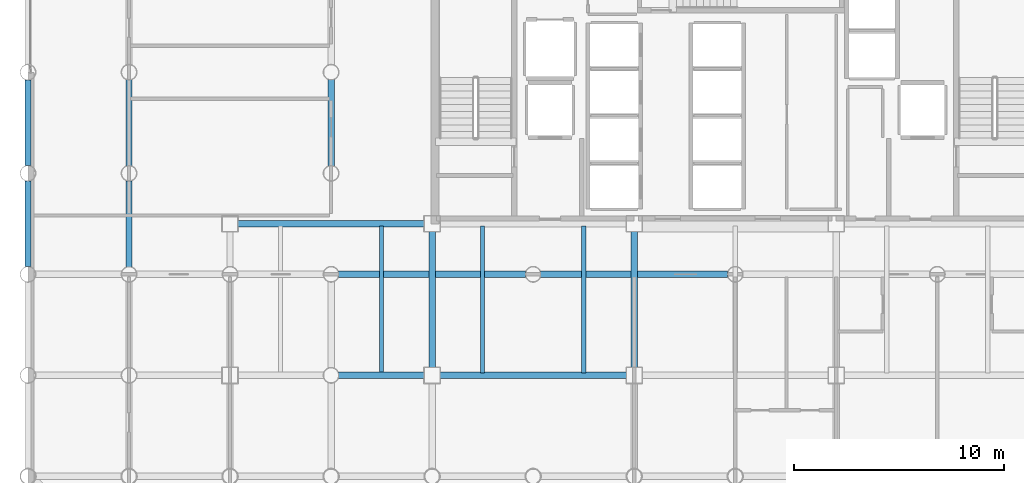
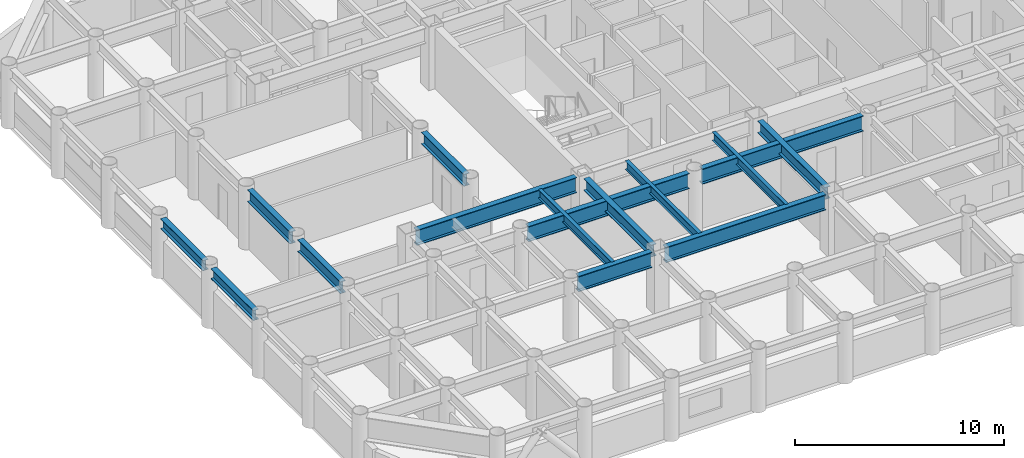
# One storey, part 3 of 21: 15 beams.
"""IFC4 building model written with IfcOpenShell, lengths in metres."""

from ifc_helpers import new_model, si_unit, direction, frame, origin, origin_2d, place, context, subcontext, project, spatial, i_section, extrude, material, material_profile, profile_set, type_object, element, save


model = new_model("IFC4")

# Units and contexts
model_context = context("Model", 3, precision=1e-05, world=origin(), true_north=direction((0.0, 1.0)))
body_context = subcontext(model_context, "Body", "Model", "MODEL_VIEW")
ifc_project = project(units=[si_unit("LENGTHUNIT", "METRE"), si_unit("AREAUNIT", "SQUARE_METRE"), si_unit("VOLUMEUNIT", "CUBIC_METRE"), si_unit("PLANEANGLEUNIT", "RADIAN"), si_unit("MASSUNIT", "GRAM", prefix="KILO")], contexts=[model_context])

# Site, building, storey
site_placement = place(None, origin())
site = spatial("IfcSite", under=ifc_project, at=site_placement, CompositionType="ELEMENT")
building_placement = place(site_placement, origin())
building = spatial("IfcBuilding", under=site, at=building_placement, Name="Kallvorn Hotel Tower", CompositionType="ELEMENT")
storey_placement = place(building_placement, frame((0.0, 0.0, 41.10009765625)))
storey = spatial("IfcBuildingStorey", under=building, at=storey_placement, Name="L08", CompositionType="ELEMENT", Elevation=41.10009765625)

# Beams
ifc_material_1 = material(Name="Structural steel S355JR", Category="steel")
ifc_material_profile_1 = material_profile(ifc_material_1, i_section(OverallWidth=0.300048828125, OverallDepth=0.60009765625, WebThickness=0.015380859375, FlangeThickness=0.030029296875, at=origin_2d()), Name="HE 600 B")
ifc_profile_set_1 = profile_set([ifc_material_profile_1], Name="Structural steel S355JR")
beam_type_1 = type_object("IfcBeamType", Name="BM_HE600B", PredefinedType="SPANDREL", material=ifc_profile_set_1)
beam_1_placement = place(storey_placement, frame((-33.60009765625, -9.22900390625, 3.219970703125), z_axis=(0.0, 1.0, 0.0), x_axis=(-1.0, 0.0, 0.0)))
element("IfcBeam", 1, at=beam_1_placement, inside=storey, type_object=beam_type_1, Name="L09 Perimeter Spandrel 176", PredefinedType="SPANDREL", context=body_context, shape_type="SweptSolid", body=[
    extrude(i_section(OverallWidth=0.300048828125, OverallDepth=0.60009765625, WebThickness=0.015380859375, FlangeThickness=0.030029296875, at=origin_2d()), origin(), (0.0, 0.0, 1.0), 4.05810546875),
])
beam_2_placement = place(storey_placement, frame((-33.60009765625, -4.428955078125, 3.219970703125), z_axis=(0.0, 1.0, 0.0), x_axis=(-1.0, 0.0, 0.0)))
element("IfcBeam", 2, at=beam_2_placement, inside=storey, type_object=beam_type_1, Name="L09 Perimeter Spandrel 177", PredefinedType="SPANDREL", context=body_context, shape_type="SweptSolid", body=[
    extrude(i_section(OverallWidth=0.300048828125, OverallDepth=0.60009765625, WebThickness=0.015380859375, FlangeThickness=0.030029296875, at=origin_2d()), origin(), (0.0, 0.0, 1.0), 4.057861328125),
])
ifc_material_2 = material(Name="Structural steel S355JR", Category="steel")
ifc_material_profile_2 = material_profile(ifc_material_2, i_section(OverallWidth=0.300048828125, OverallDepth=0.699951171875, WebThickness=0.01708984375, FlangeThickness=0.031982421875, at=origin_2d()), Name="HE 700 B")
ifc_profile_set_2 = profile_set([ifc_material_profile_2], Name="Structural steel S355JR")
beam_type_2 = type_object("IfcBeamType", Name="BM_HE700B", PredefinedType="BEAM", material=ifc_profile_set_2)
beam_3_placement = place(storey_placement, frame((-28.800048828125, -9.243896484375, 3.169921875), z_axis=(0.0, 1.0, 0.0), x_axis=(-1.0, 0.0, 0.0)))
element("IfcBeam", 3, at=beam_3_placement, inside=storey, type_object=beam_type_2, Name="L09 Primary Y-Girder 76", PredefinedType="BEAM", context=body_context, shape_type="SweptSolid", body=[
    extrude(i_section(OverallWidth=0.300048828125, OverallDepth=0.699951171875, WebThickness=0.01708984375, FlangeThickness=0.031982421875, at=origin_2d()), origin(), (0.0, 0.0, 1.0), 4.087890625),
])
for number, where, z_axis, x_axis, name in (
    (4, (-28.800048828125, -4.444091796875, 3.169921875), (0.0, 1.0, 0.0), (-1.0, 0.0, 0.0), "L09 Primary Y-Girder 77"),
    (5, (-19.199951171875, -4.444091796875, 3.169921875), (0.0, 1.0, 0.0), (-1.0, 0.0, 0.0), "L09 Primary Y-Girder 93"),
):
    element("IfcBeam", number, at=place(storey_placement, frame(where, z_axis=z_axis, x_axis=x_axis)), inside=storey, type_object=beam_type_2, Name=name, PredefinedType="BEAM", context=body_context, shape_type="SweptSolid", body=[
        extrude(i_section(OverallWidth=0.300048828125, OverallDepth=0.699951171875, WebThickness=0.01708984375, FlangeThickness=0.031982421875, at=origin_2d()), origin(), (0.0, 0.0, 1.0), 4.088134765625),
    ])
for number, where, z_axis, x_axis, name in (
    (6, (-14.39990234375, -14.02490234375, 3.169921875), (0.0, 1.0, 0.0), (-1.0, 0.0, 0.0), "L09 Primary Y-Girder 100"),
    (7, (-4.800048828125, -14.02490234375, 3.169921875), (0.0, 1.0, 0.0), (-1.0, 0.0, 0.0), "L09 Primary Y-Girder 108"),
):
    element("IfcBeam", number, at=place(storey_placement, frame(where, z_axis=z_axis, x_axis=x_axis)), inside=storey, type_object=beam_type_2, Name=name, PredefinedType="BEAM", context=body_context, shape_type="SweptSolid", body=[
        extrude(i_section(OverallWidth=0.300048828125, OverallDepth=0.699951171875, WebThickness=0.01708984375, FlangeThickness=0.031982421875, at=origin_2d()), origin(), (0.0, 0.0, 1.0), 6.449951171875),
    ])
ifc_material_3 = material(Name="Structural steel S355JR", Category="steel")
ifc_material_profile_3 = material_profile(ifc_material_3, i_section(OverallWidth=0.300048828125, OverallDepth=0.89990234375, WebThickness=0.0185546875, FlangeThickness=0.034912109375, at=origin_2d()), Name="HE 900 B")
ifc_profile_set_3 = profile_set([ifc_material_profile_3], Name="Structural steel S355JR")
beam_type_3 = type_object("IfcBeamType", Name="BM_HE900B", PredefinedType="BEAM", material=ifc_profile_set_3)
beam_4_placement = place(storey_placement, frame((-18.843994140625, -14.39990234375, 3.06982421875), z_axis=(1.0, 0.0, 0.0), x_axis=(0.0, 1.0, 0.0)))
element("IfcBeam", 8, at=beam_4_placement, inside=storey, type_object=beam_type_3, Name="L09 Primary X-Girder 17", PredefinedType="BEAM", context=body_context, shape_type="SweptSolid", body=[
    extrude(i_section(OverallWidth=0.300048828125, OverallDepth=0.89990234375, WebThickness=0.0185546875, FlangeThickness=0.034912109375, at=origin_2d()), origin(), (0.0, 0.0, 1.0), 4.069091796875),
])
beam_5_placement = place(storey_placement, frame((-14.02490234375, -14.39990234375, 3.06982421875), z_axis=(1.0, 0.0, 0.0), x_axis=(0.0, 1.0, 0.0)))
element("IfcBeam", 9, at=beam_5_placement, inside=storey, type_object=beam_type_3, Name="L09 Primary X-Girder 18", PredefinedType="BEAM", context=body_context, shape_type="SweptSolid", body=[
    extrude(i_section(OverallWidth=0.300048828125, OverallDepth=0.89990234375, WebThickness=0.0185546875, FlangeThickness=0.034912109375, at=origin_2d()), origin(), (0.0, 0.0, 1.0), 8.849853515625),
])
for number, where, z_axis, x_axis, name in (
    (10, (-18.843994140625, -9.60009765625, 3.06982421875), (1.0, 0.0, 0.0), (0.0, 1.0, 0.0), "L09 Primary X-Girder 27"),
    (11, (-9.243896484375, -9.60009765625, 3.06982421875), (1.0, 0.0, 0.0), (0.0, 1.0, 0.0), "L09 Primary X-Girder 28"),
):
    element("IfcBeam", number, at=place(storey_placement, frame(where, z_axis=z_axis, x_axis=x_axis)), inside=storey, type_object=beam_type_3, Name=name, PredefinedType="BEAM", context=body_context, shape_type="SweptSolid", body=[
        extrude(i_section(OverallWidth=0.300048828125, OverallDepth=0.89990234375, WebThickness=0.0185546875, FlangeThickness=0.034912109375, at=origin_2d()), origin(), (0.0, 0.0, 1.0), 8.887939453125),
    ])
beam_6_placement = place(storey_placement, frame((-23.625, -7.199951171875, 3.06982421875), z_axis=(1.0, 0.0, 0.0), x_axis=(0.0, 1.0, 0.0)))
element("IfcBeam", 12, at=beam_6_placement, inside=storey, type_object=beam_type_3, Name="L09 Primary X-Girder 33", PredefinedType="BEAM", context=body_context, shape_type="SweptSolid", body=[
    extrude(i_section(OverallWidth=0.300048828125, OverallDepth=0.89990234375, WebThickness=0.0185546875, FlangeThickness=0.034912109375, at=origin_2d()), origin(), (0.0, 0.0, 1.0), 8.85009765625),
])
ifc_material_4 = material(Name="Structural steel S355JR", Category="steel")
ifc_material_profile_4 = material_profile(ifc_material_4, i_section(OverallWidth=0.199951171875, OverallDepth=0.5, WebThickness=0.01025390625, FlangeThickness=0.01611328125, at=origin_2d()), Name="IPE 500")
ifc_profile_set_4 = profile_set([ifc_material_profile_4], Name="Structural steel S355JR")
beam_type_4 = type_object("IfcBeamType", Name="BM_IPE500", PredefinedType="JOIST", material=ifc_profile_set_4)
for number, where, z_axis, x_axis, name in (
    (13, (-16.800048828125, -14.300048828125, 3.27001953125), (0.0, 1.0, 0.0), (-1.0, 0.0, 0.0), "L09 Secondary Composite Joist 194"),
    (14, (-12.0, -14.300048828125, 3.27001953125), (0.0, 1.0, 0.0), (-1.0, 0.0, 0.0), "L09 Secondary Composite Joist 196"),
    (15, (-7.199951171875, -14.300048828125, 3.27001953125), (0.0, 1.0, 0.0), (-1.0, 0.0, 0.0), "L09 Secondary Composite Joist 198"),
):
    element("IfcBeam", number, at=place(storey_placement, frame(where, z_axis=z_axis, x_axis=x_axis)), inside=storey, type_object=beam_type_4, Name=name, PredefinedType="JOIST", context=body_context, shape_type="SweptSolid", body=[
        extrude(i_section(OverallWidth=0.199951171875, OverallDepth=0.5, WebThickness=0.01025390625, FlangeThickness=0.01611328125, at=origin_2d()), origin(), (0.0, 0.0, 1.0), 7.0),
    ])

save(model, "model.ifc")
